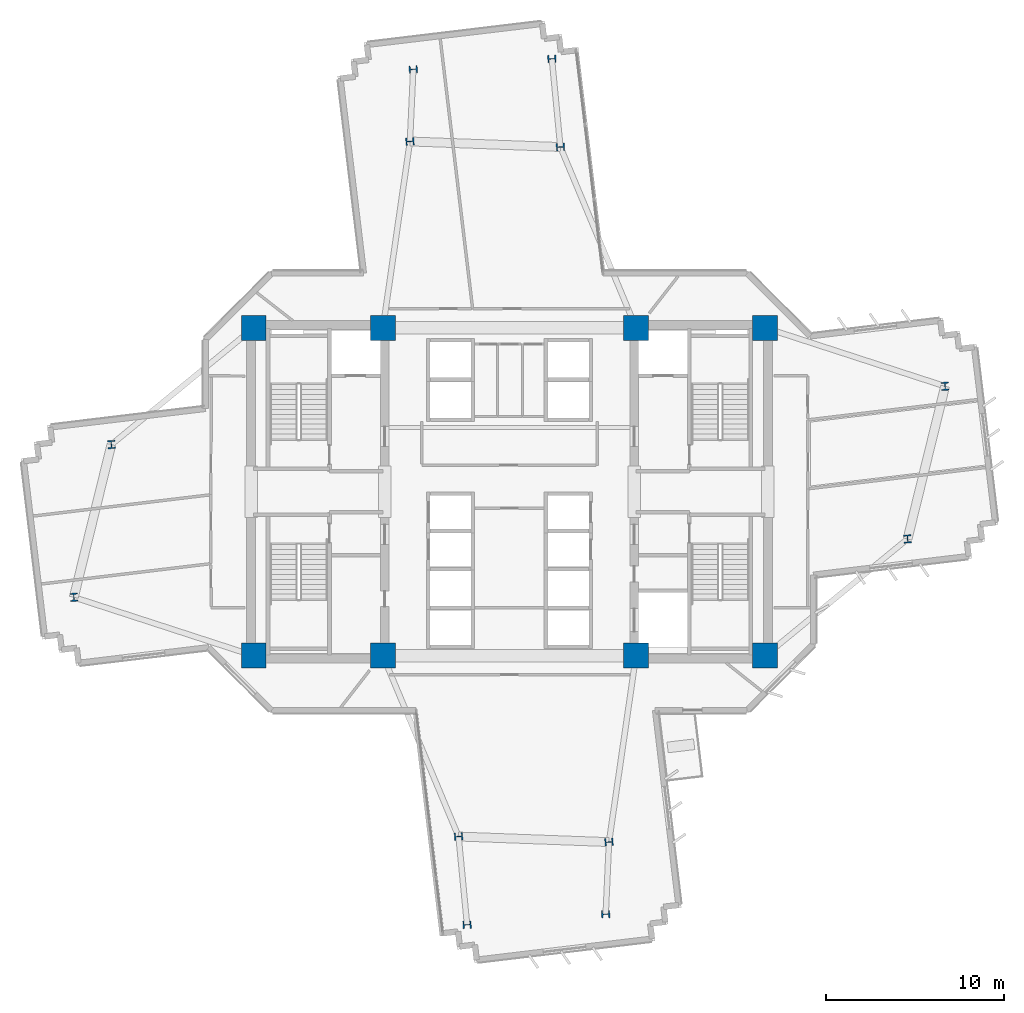
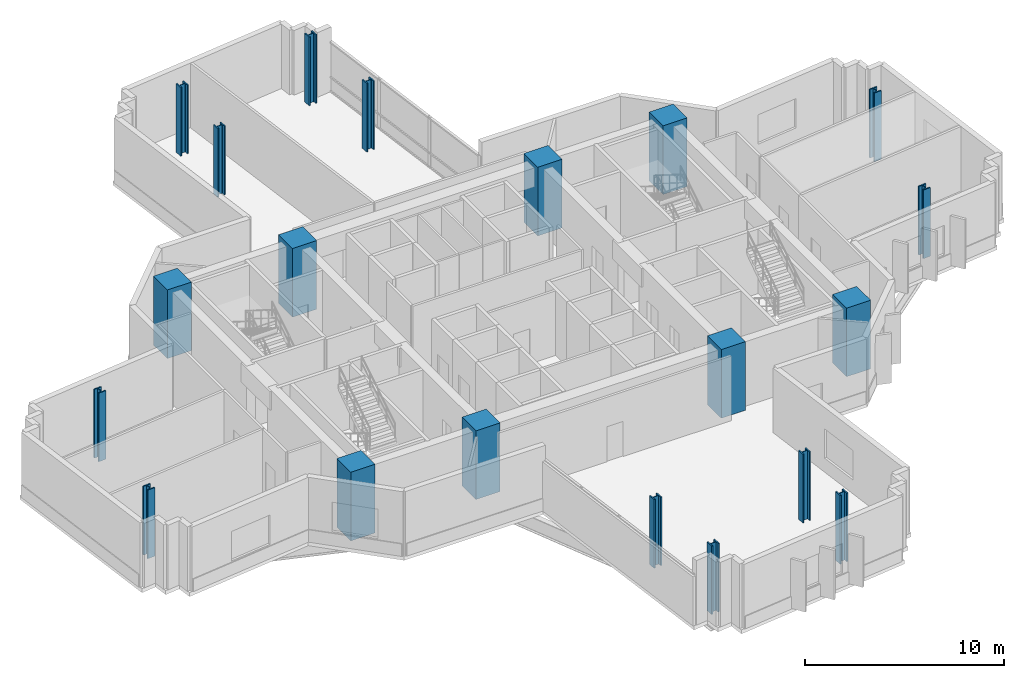
# One storey, part 1 of 15: 20 columns.
"""IFC4 building model written with IfcOpenShell, lengths in metres."""

from ifc_helpers import new_model, si_unit, direction, frame, origin, origin_2d, place, context, subcontext, project, spatial, rectangle, i_section, extrude, source, transform, mapped, material, material_profile, profile_set, type_object, element, save


model = new_model("IFC4")

# Units and contexts
model_context = context("Model", 3, precision=1e-05, world=origin(), true_north=direction((0.0, 1.0)))
body_context = subcontext(model_context, "Body", "Model", "MODEL_VIEW")
ifc_project = project(units=[si_unit("LENGTHUNIT", "METRE"), si_unit("AREAUNIT", "SQUARE_METRE"), si_unit("VOLUMEUNIT", "CUBIC_METRE"), si_unit("PLANEANGLEUNIT", "RADIAN"), si_unit("MASSUNIT", "GRAM", prefix="KILO")], contexts=[model_context])

# Site, building, storey
site_placement = place(None, origin())
site = spatial("IfcSite", under=ifc_project, at=site_placement, CompositionType="ELEMENT")
building_placement = place(site_placement, origin())
building = spatial("IfcBuilding", under=site, at=building_placement, Name="Zahravan Cultural Tower", CompositionType="ELEMENT")
storey_placement = place(building_placement, frame((0.0, 0.0, 108.89990234375)))
storey = spatial("IfcBuildingStorey", under=building, at=storey_placement, Name="L24", CompositionType="ELEMENT", Elevation=108.89990234375)

# Columns
ifc_material_1 = material(Name="Concrete C60/75", Category="concrete")
ifc_material_profile_1 = material_profile(ifc_material_1, rectangle(XDim=1.39990234375, YDim=1.39990234375, at=origin_2d()), Name="RC1400X1400")
ifc_profile_set_1 = profile_set([ifc_material_profile_1], Name="Concrete C60/75")
column_type_1 = type_object("IfcColumnType", Name="COL-RC1400", PredefinedType="COLUMN", material=ifc_profile_set_1)
shared_shape_1 = source(origin(), body_context, "Body", "SweptSolid", [
    extrude(rectangle(XDim=1.39990234375, YDim=1.39990234375, at=origin_2d()), origin(), (0.0, 0.0, 1.0), 4.2001953125),
])
for number, where, z_axis, x_axis, name in (
    (1, (21.64990234375, 17.800048828125, 0.0), (0.0, 0.0, 1.0), (1.0, 0.0, 0.0), "L24 Column CC-W1"),
    (2, (28.89990234375, 17.800048828125, 0.0), (0.0, 0.0, 1.0), (1.0, 0.0, 0.0), "L24 Column CC-W2"),
    (3, (21.64990234375, 36.199951171875, 0.0), (0.0, 0.0, 1.0), (1.0, 0.0, 0.0), "L24 Column CC-W3"),
    (4, (28.89990234375, 36.199951171875, 0.0), (0.0, 0.0, 1.0), (1.0, 0.0, 0.0), "L24 Column CC-W4"),
    (5, (43.10009765625, 17.800048828125, 0.0), (0.0, 0.0, 1.0), (1.0, 0.0, 0.0), "L24 Column CC-E1"),
    (6, (50.35009765625, 17.800048828125, 0.0), (0.0, 0.0, 1.0), (1.0, 0.0, 0.0), "L24 Column CC-E2"),
    (7, (43.10009765625, 36.199951171875, 0.0), (0.0, 0.0, 1.0), (1.0, 0.0, 0.0), "L24 Column CC-E3"),
    (8, (50.35009765625, 36.199951171875, 0.0), (0.0, 0.0, 1.0), (1.0, 0.0, 0.0), "L24 Column CC-E4"),
):
    element("IfcColumn", number, at=place(storey_placement, frame(where, z_axis=z_axis, x_axis=x_axis)), inside=storey, type_object=column_type_1, Name=name, PredefinedType="COLUMN", context=body_context, shape_type="MappedRepresentation", body=[
        mapped(shared_shape_1, transform((0.0, 0.0, 0.0), x_axis=(1.0, 0.0, 0.0), y_axis=(0.0, 1.0, 0.0), z_axis=(0.0, 0.0, 1.0), scale=1.0)),
    ])
ifc_material_2 = material(Name="Steel ASTM A992 Grade 50", Category="steel")
ifc_material_profile_2 = material_profile(ifc_material_2, i_section(OverallWidth=0.4208984375, OverallDepth=0.465087890625, WebThickness=0.044921875, FlangeThickness=0.072509765625, FilletRadius=0.01806640625, at=origin_2d()), Name="W14X398")
ifc_profile_set_2 = profile_set([ifc_material_profile_2], Name="Steel ASTM A992 Grade 50")
column_type_2 = type_object("IfcColumnType", Name="COL-W14X398", PredefinedType="COLUMN", material=ifc_profile_set_2)
shared_shape_2 = source(origin(), body_context, "Body", "SweptSolid", [
    extrude(i_section(OverallWidth=0.4208984375, OverallDepth=0.465087890625, WebThickness=0.044921875, FlangeThickness=0.072509765625, FilletRadius=0.01806640625, at=origin_2d()), origin(), (0.0, 0.0, 1.0), 4.2001953125),
])
for number, where, z_axis, x_axis, name in (
    (9, (58.339111328125, 24.351806640625, 0.0), (0.0, 0.0, 1.0), (0.99756405026, 0.069756473744, 0.0), "L24 Column Z1C-E1"),
    (10, (60.446533203125, 32.919677734375, 0.0), (0.0, 0.0, 1.0), (0.99756405026, 0.069756473744, 0.0), "L24 Column Z1C-E2"),
    (11, (38.857421875, 46.346435546875, 0.0), (0.0, 0.0, 1.0), (-0.069756473744, 0.99756405026, 0.0), "L24 Column Z1C-N1"),
    (12, (30.4150390625, 46.658203125, 0.0), (0.0, 0.0, 1.0), (-0.069756473744, 0.99756405026, 0.0), "L24 Column Z1C-N2"),
    (13, (13.660888671875, 29.648193359375, 0.0), (0.0, 0.0, 1.0), (0.99756405026, 0.069756473744, 0.0), "L24 Column Z1C-W1"),
    (14, (11.553466796875, 21.080322265625, 0.0), (0.0, 0.0, 1.0), (0.99756405026, 0.069756473744, 0.0), "L24 Column Z1C-W2"),
    (15, (33.142578125, 7.653564453125, 0.0), (0.0, 0.0, 1.0), (-0.069756473744, 0.99756405026, 0.0), "L24 Column Z1C-S1"),
    (16, (41.5849609375, 7.341796875, 0.0), (0.0, 0.0, 1.0), (-0.069756473744, 0.99756405026, 0.0), "L24 Column Z1C-S2"),
    (17, (38.379150390625, 51.29736328125, 0.0), (0.0, 0.0, 1.0), (-0.062790519529, 0.998026728428, 0.0), "L24 Column Z1T-N1"),
    (18, (30.6005859375, 50.707763671875, 0.0), (0.0, 0.0, 1.0), (-0.062790519529, 0.998026728428, 0.0), "L24 Column Z1T-N2"),
    (19, (33.620849609375, 2.70263671875, 0.0), (0.0, 0.0, 1.0), (-0.062790519529, 0.998026728428, 0.0), "L24 Column Z1T-S1"),
    (20, (41.3994140625, 3.292236328125, 0.0), (0.0, 0.0, 1.0), (-0.062790519529, 0.998026728428, 0.0), "L24 Column Z1T-S2"),
):
    element("IfcColumn", number, at=place(storey_placement, frame(where, z_axis=z_axis, x_axis=x_axis)), inside=storey, type_object=column_type_2, Name=name, PredefinedType="COLUMN", context=body_context, shape_type="MappedRepresentation", body=[
        mapped(shared_shape_2, transform((0.0, 0.0, 0.0), x_axis=(1.0, 0.0, 0.0), y_axis=(0.0, 1.0, 0.0), z_axis=(0.0, 0.0, 1.0), scale=1.0)),
    ])

save(model, "model.ifc")
